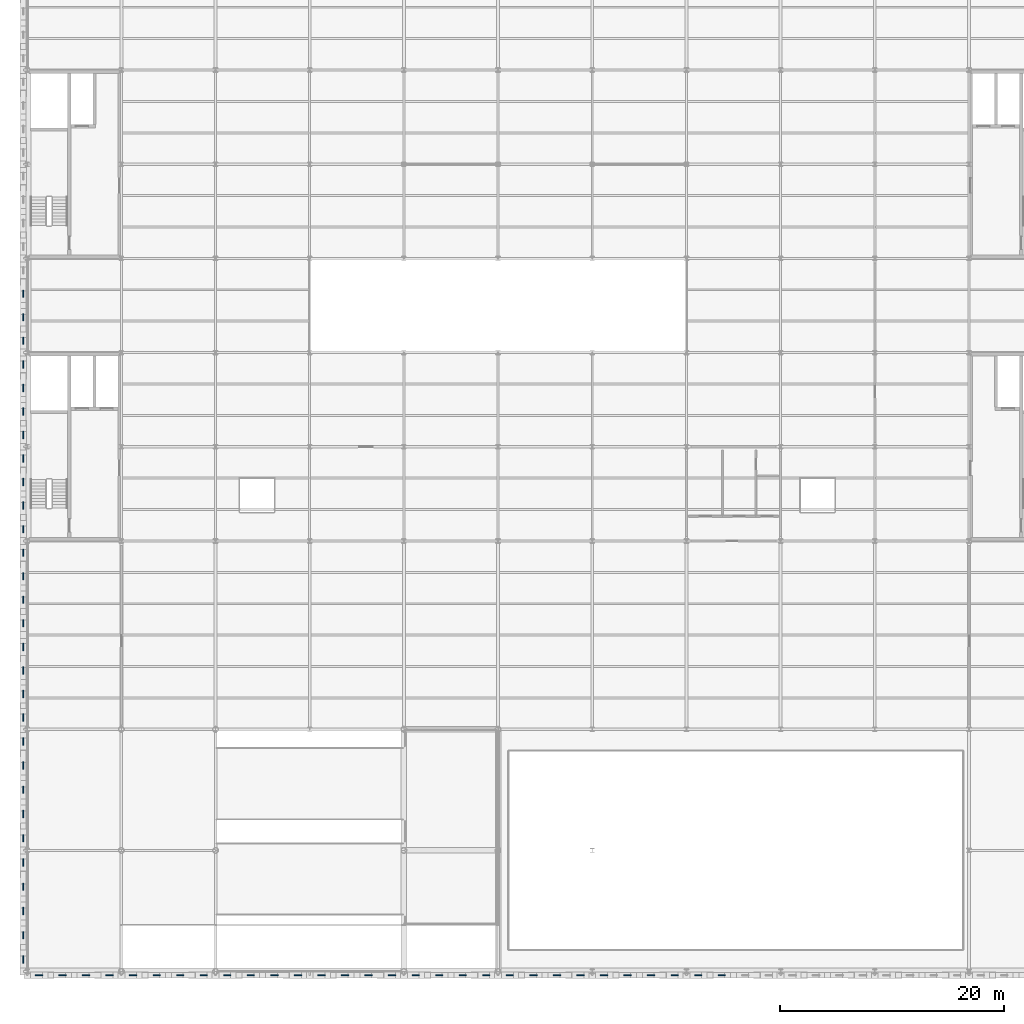
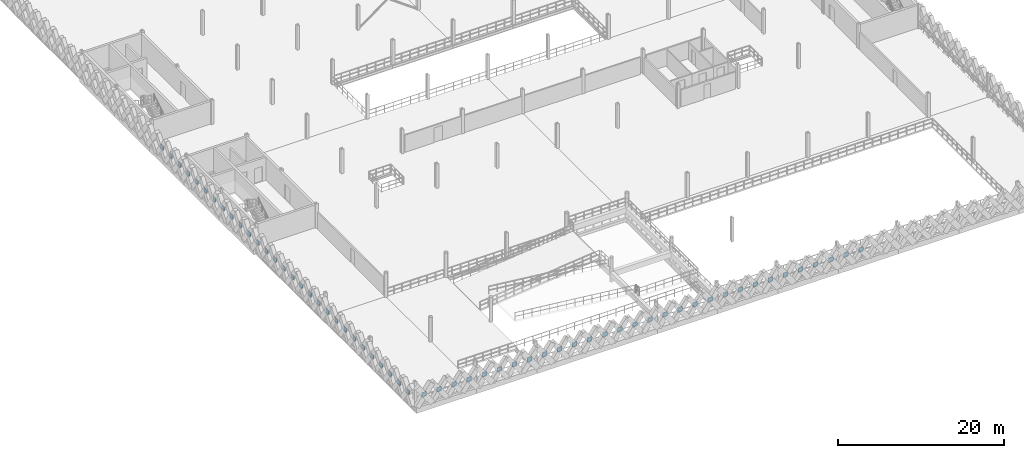
# One storey, part 51 of 74: 59 plates.
"""IFC4 building model written with IfcOpenShell, lengths in metres."""

from ifc_helpers import new_model, si_unit, direction, frame, origin, origin_2d, place, context, subcontext, project, spatial, rectangle, extrude, material, layer, layer_set, type_object, element, save


model = new_model("IFC4")

# Units and contexts
model_context = context("Model", 3, precision=1e-05, world=origin(), true_north=direction((0.0, 1.0)))
body_context = subcontext(model_context, "Body", "Model", "MODEL_VIEW")
ifc_project = project(units=[si_unit("LENGTHUNIT", "METRE"), si_unit("AREAUNIT", "SQUARE_METRE"), si_unit("VOLUMEUNIT", "CUBIC_METRE"), si_unit("PLANEANGLEUNIT", "RADIAN"), si_unit("MASSUNIT", "GRAM", prefix="KILO"), si_unit("THERMODYNAMICTEMPERATUREUNIT", "KELVIN"), si_unit("POWERUNIT", "WATT")], contexts=[model_context])

# Site, building, storey
site_placement = place(None, origin())
site = spatial("IfcSite", under=ifc_project, at=site_placement, CompositionType="ELEMENT")
building_placement = place(site_placement, origin())
building = spatial("IfcBuilding", under=site, at=building_placement, Name="Tembeka Court Mobility Hub", CompositionType="ELEMENT")
storey_placement = place(building_placement, frame((0.0, 0.0, 12.60009765625)))
storey = spatial("IfcBuildingStorey", under=building, at=storey_placement, Name="L03", CompositionType="ELEMENT", Elevation=12.60009765625)

# Plates
ifc_material = material(Name="Precast concrete C45/55", Category="concrete")
ifc_layer = layer(ifc_material, 0.090087890625)
ifc_layer_set = layer_set([ifc_layer], Name="Precast concrete C45/55")
plate_type = type_object("IfcPlateType", Name="PL-PC01", PredefinedType="SHEET", material=ifc_layer_set)
for number, where, z_axis, x_axis, name in (
    (1, (1.050048828125, -0.340087890625, 1.159912109375), (0.0, 0.0, 1.0), (1.0, 0.0, 0.0), "Precast diamond lattice node plate PCN01 (L03-389)"),
    (2, (3.14990234375, -0.340087890625, 1.159912109375), (0.0, 0.0, 1.0), (1.0, 0.0, 0.0), "Precast diamond lattice node plate PCN01 (L03-390)"),
    (3, (5.25, -0.340087890625, 1.159912109375), (0.0, 0.0, 1.0), (1.0, 0.0, 0.0), "Precast diamond lattice node plate PCN01 (L03-391)"),
    (4, (7.35009765625, -0.340087890625, 1.159912109375), (0.0, 0.0, 1.0), (1.0, 0.0, 0.0), "Precast diamond lattice node plate PCN01 (L03-392)"),
    (5, (9.449951171875, -0.340087890625, 1.159912109375), (0.0, 0.0, 1.0), (1.0, 0.0, 0.0), "Precast diamond lattice node plate PCN01 (L03-393)"),
    (6, (11.550048828125, -0.340087890625, 1.159912109375), (0.0, 0.0, 1.0), (1.0, 0.0, 0.0), "Precast diamond lattice node plate PCN01 (L03-394)"),
    (7, (13.64990234375, -0.340087890625, 1.159912109375), (0.0, 0.0, 1.0), (1.0, 0.0, 0.0), "Precast diamond lattice node plate PCN01 (L03-395)"),
    (8, (15.75, -0.340087890625, 1.159912109375), (0.0, 0.0, 1.0), (1.0, 0.0, 0.0), "Precast diamond lattice node plate PCN01 (L03-396)"),
    (9, (17.85009765625, -0.340087890625, 1.159912109375), (0.0, 0.0, 1.0), (1.0, 0.0, 0.0), "Precast diamond lattice node plate PCN01 (L03-397)"),
    (10, (19.949951171875, -0.340087890625, 1.159912109375), (0.0, 0.0, 1.0), (1.0, 0.0, 0.0), "Precast diamond lattice node plate PCN01 (L03-398)"),
    (11, (22.050048828125, -0.340087890625, 1.159912109375), (0.0, 0.0, 1.0), (1.0, 0.0, 0.0), "Precast diamond lattice node plate PCN01 (L03-399)"),
    (12, (24.14990234375, -0.340087890625, 1.159912109375), (0.0, 0.0, 1.0), (1.0, 0.0, 0.0), "Precast diamond lattice node plate PCN01 (L03-400)"),
    (13, (26.25, -0.340087890625, 1.159912109375), (0.0, 0.0, 1.0), (1.0, 0.0, 0.0), "Precast diamond lattice node plate PCN01 (L03-401)"),
    (14, (28.35009765625, -0.340087890625, 1.159912109375), (0.0, 0.0, 1.0), (1.0, 0.0, 0.0), "Precast diamond lattice node plate PCN01 (L03-402)"),
    (15, (30.449951171875, -0.340087890625, 1.159912109375), (0.0, 0.0, 1.0), (1.0, 0.0, 0.0), "Precast diamond lattice node plate PCN01 (L03-403)"),
    (16, (32.550048828125, -0.340087890625, 1.159912109375), (0.0, 0.0, 1.0), (1.0, 0.0, 0.0), "Precast diamond lattice node plate PCN01 (L03-404)"),
    (17, (34.64990234375, -0.340087890625, 1.159912109375), (0.0, 0.0, 1.0), (1.0, 0.0, 0.0), "Precast diamond lattice node plate PCN01 (L03-405)"),
    (18, (36.75, -0.340087890625, 1.159912109375), (0.0, 0.0, 1.0), (1.0, 0.0, 0.0), "Precast diamond lattice node plate PCN01 (L03-406)"),
    (19, (38.85009765625, -0.340087890625, 1.159912109375), (0.0, 0.0, 1.0), (1.0, 0.0, 0.0), "Precast diamond lattice node plate PCN01 (L03-407)"),
    (20, (40.949951171875, -0.340087890625, 1.159912109375), (0.0, 0.0, 1.0), (1.0, 0.0, 0.0), "Precast diamond lattice node plate PCN01 (L03-408)"),
    (21, (43.050048828125, -0.340087890625, 1.159912109375), (0.0, 0.0, 1.0), (1.0, 0.0, 0.0), "Precast diamond lattice node plate PCN01 (L03-409)"),
    (22, (45.14990234375, -0.340087890625, 1.159912109375), (0.0, 0.0, 1.0), (1.0, 0.0, 0.0), "Precast diamond lattice node plate PCN01 (L03-410)"),
    (23, (47.25, -0.340087890625, 1.159912109375), (0.0, 0.0, 1.0), (1.0, 0.0, 0.0), "Precast diamond lattice node plate PCN01 (L03-411)"),
    (24, (49.35009765625, -0.340087890625, 1.159912109375), (0.0, 0.0, 1.0), (1.0, 0.0, 0.0), "Precast diamond lattice node plate PCN01 (L03-412)"),
    (25, (51.449951171875, -0.340087890625, 1.159912109375), (0.0, 0.0, 1.0), (1.0, 0.0, 0.0), "Precast diamond lattice node plate PCN01 (L03-413)"),
    (26, (53.550048828125, -0.340087890625, 1.159912109375), (0.0, 0.0, 1.0), (1.0, 0.0, 0.0), "Precast diamond lattice node plate PCN01 (L03-414)"),
    (27, (55.64990234375, -0.340087890625, 1.159912109375), (0.0, 0.0, 1.0), (1.0, 0.0, 0.0), "Precast diamond lattice node plate PCN01 (L03-415)"),
    (28, (57.75, -0.340087890625, 1.159912109375), (0.0, 0.0, 1.0), (1.0, 0.0, 0.0), "Precast diamond lattice node plate PCN01 (L03-416)"),
    (29, (59.85009765625, -0.340087890625, 1.159912109375), (0.0, 0.0, 1.0), (1.0, 0.0, 0.0), "Precast diamond lattice node plate PCN01 (L03-417)"),
    (30, (61.949951171875, -0.340087890625, 1.159912109375), (0.0, 0.0, 1.0), (1.0, 0.0, 0.0), "Precast diamond lattice node plate PCN01 (L03-418)"),
):
    element("IfcPlate", number, at=place(storey_placement, frame(where, z_axis=z_axis, x_axis=x_axis)), inside=storey, type_object=plate_type, Name=name, PredefinedType="SHEET", context=body_context, shape_type="SweptSolid", body=[
        extrude(rectangle(XDim=0.64990234375, YDim=0.090087890625, at=origin_2d()), origin(), (0.0, 0.0, 1.0), 0.64990234375),
    ])
for number, where, z_axis, x_axis, name in (
    (31, (-0.340087890625, 1.080078125, 1.159912109375), (0.0, 0.0, 1.0), (1.0, 0.0, 0.0), "Precast diamond lattice node plate PCN01 (L03-477)"),
    (32, (-0.340087890625, 3.239990234375, 1.159912109375), (0.0, 0.0, 1.0), (1.0, 0.0, 0.0), "Precast diamond lattice node plate PCN01 (L03-478)"),
    (33, (-0.340087890625, 5.39990234375, 1.159912109375), (0.0, 0.0, 1.0), (1.0, 0.0, 0.0), "Precast diamond lattice node plate PCN01 (L03-479)"),
    (34, (-0.340087890625, 7.56005859375, 1.159912109375), (0.0, 0.0, 1.0), (1.0, 0.0, 0.0), "Precast diamond lattice node plate PCN01 (L03-480)"),
    (35, (-0.340087890625, 9.719970703125, 1.159912109375), (0.0, 0.0, 1.0), (1.0, 0.0, 0.0), "Precast diamond lattice node plate PCN01 (L03-481)"),
    (36, (-0.340087890625, 11.8798828125, 1.159912109375), (0.0, 0.0, 1.0), (1.0, 0.0, 0.0), "Precast diamond lattice node plate PCN01 (L03-482)"),
    (37, (-0.340087890625, 14.0400390625, 1.159912109375), (0.0, 0.0, 1.0), (1.0, 0.0, 0.0), "Precast diamond lattice node plate PCN01 (L03-483)"),
    (38, (-0.340087890625, 16.199951171875, 1.159912109375), (0.0, 0.0, 1.0), (1.0, 0.0, 0.0), "Precast diamond lattice node plate PCN01 (L03-484)"),
    (39, (-0.340087890625, 18.360107421875, 1.159912109375), (0.0, 0.0, 1.0), (1.0, 0.0, 0.0), "Precast diamond lattice node plate PCN01 (L03-485)"),
    (40, (-0.340087890625, 20.52001953125, 1.159912109375), (0.0, 0.0, 1.0), (1.0, 0.0, 0.0), "Precast diamond lattice node plate PCN01 (L03-486)"),
    (41, (-0.340087890625, 22.64990234375, 1.159912109375), (0.0, 0.0, 1.0), (1.0, 0.0, 0.0), "Precast diamond lattice node plate PCN01 (L03-487)"),
    (42, (-0.340087890625, 24.75, 1.159912109375), (0.0, 0.0, 1.0), (1.0, 0.0, 0.0), "Precast diamond lattice node plate PCN01 (L03-488)"),
    (43, (-0.340087890625, 26.85009765625, 1.159912109375), (0.0, 0.0, 1.0), (1.0, 0.0, 0.0), "Precast diamond lattice node plate PCN01 (L03-489)"),
    (44, (-0.340087890625, 28.949951171875, 1.159912109375), (0.0, 0.0, 1.0), (1.0, 0.0, 0.0), "Precast diamond lattice node plate PCN01 (L03-490)"),
    (45, (-0.340087890625, 31.050048828125, 1.159912109375), (0.0, 0.0, 1.0), (1.0, 0.0, 0.0), "Precast diamond lattice node plate PCN01 (L03-491)"),
    (46, (-0.340087890625, 33.14990234375, 1.159912109375), (0.0, 0.0, 1.0), (1.0, 0.0, 0.0), "Precast diamond lattice node plate PCN01 (L03-492)"),
    (47, (-0.340087890625, 35.25, 1.159912109375), (0.0, 0.0, 1.0), (1.0, 0.0, 0.0), "Precast diamond lattice node plate PCN01 (L03-493)"),
    (48, (-0.340087890625, 37.35009765625, 1.159912109375), (0.0, 0.0, 1.0), (1.0, 0.0, 0.0), "Precast diamond lattice node plate PCN01 (L03-494)"),
    (49, (-0.340087890625, 39.449951171875, 1.159912109375), (0.0, 0.0, 1.0), (1.0, 0.0, 0.0), "Precast diamond lattice node plate PCN01 (L03-495)"),
    (50, (-0.340087890625, 41.550048828125, 1.159912109375), (0.0, 0.0, 1.0), (1.0, 0.0, 0.0), "Precast diamond lattice node plate PCN01 (L03-496)"),
    (51, (-0.340087890625, 43.64990234375, 1.159912109375), (0.0, 0.0, 1.0), (1.0, 0.0, 0.0), "Precast diamond lattice node plate PCN01 (L03-497)"),
    (52, (-0.340087890625, 45.75, 1.159912109375), (0.0, 0.0, 1.0), (1.0, 0.0, 0.0), "Precast diamond lattice node plate PCN01 (L03-498)"),
    (53, (-0.340087890625, 47.85009765625, 1.159912109375), (0.0, 0.0, 1.0), (1.0, 0.0, 0.0), "Precast diamond lattice node plate PCN01 (L03-499)"),
    (54, (-0.340087890625, 49.949951171875, 1.159912109375), (0.0, 0.0, 1.0), (1.0, 0.0, 0.0), "Precast diamond lattice node plate PCN01 (L03-500)"),
    (55, (-0.340087890625, 52.050048828125, 1.159912109375), (0.0, 0.0, 1.0), (1.0, 0.0, 0.0), "Precast diamond lattice node plate PCN01 (L03-501)"),
    (56, (-0.340087890625, 54.14990234375, 1.159912109375), (0.0, 0.0, 1.0), (1.0, 0.0, 0.0), "Precast diamond lattice node plate PCN01 (L03-502)"),
    (57, (-0.340087890625, 56.25, 1.159912109375), (0.0, 0.0, 1.0), (1.0, 0.0, 0.0), "Precast diamond lattice node plate PCN01 (L03-503)"),
    (58, (-0.340087890625, 58.35009765625, 1.159912109375), (0.0, 0.0, 1.0), (1.0, 0.0, 0.0), "Precast diamond lattice node plate PCN01 (L03-504)"),
    (59, (-0.340087890625, 60.449951171875, 1.159912109375), (0.0, 0.0, 1.0), (1.0, 0.0, 0.0), "Precast diamond lattice node plate PCN01 (L03-505)"),
):
    element("IfcPlate", number, at=place(storey_placement, frame(where, z_axis=z_axis, x_axis=x_axis)), inside=storey, type_object=plate_type, Name=name, PredefinedType="SHEET", context=body_context, shape_type="SweptSolid", body=[
        extrude(rectangle(XDim=0.090087890625, YDim=0.64990234375, at=origin_2d()), origin(), (0.0, 0.0, 1.0), 0.64990234375),
    ])

save(model, "model.ifc")
